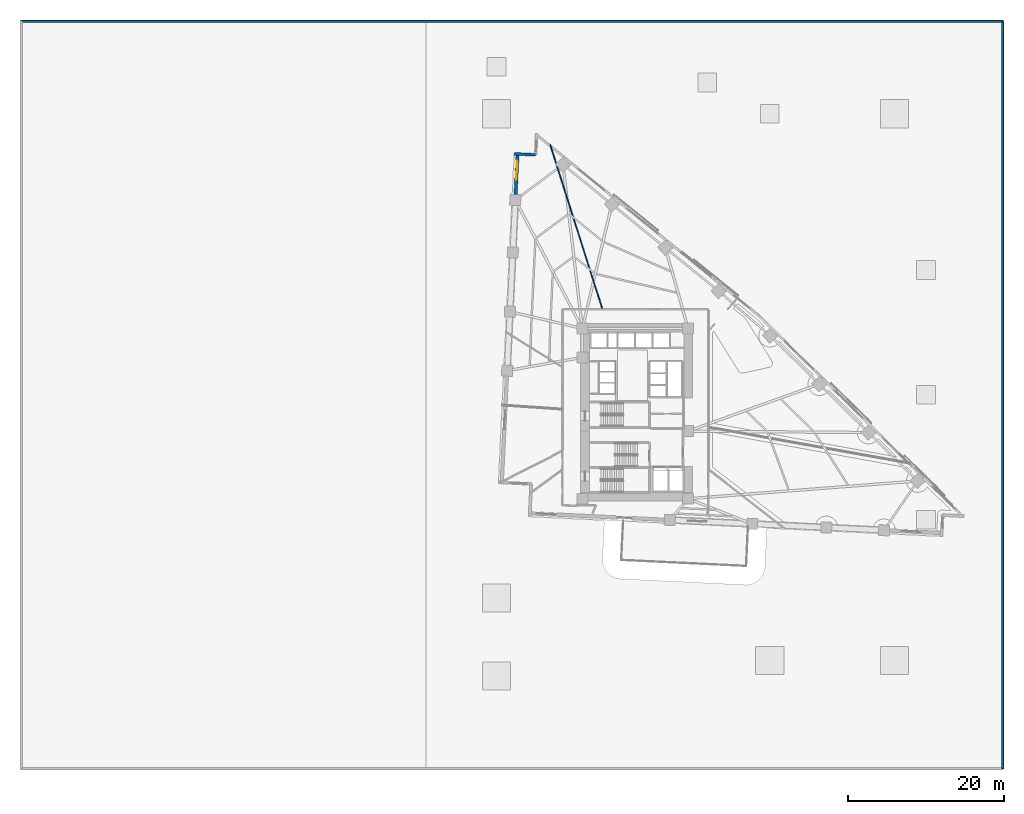
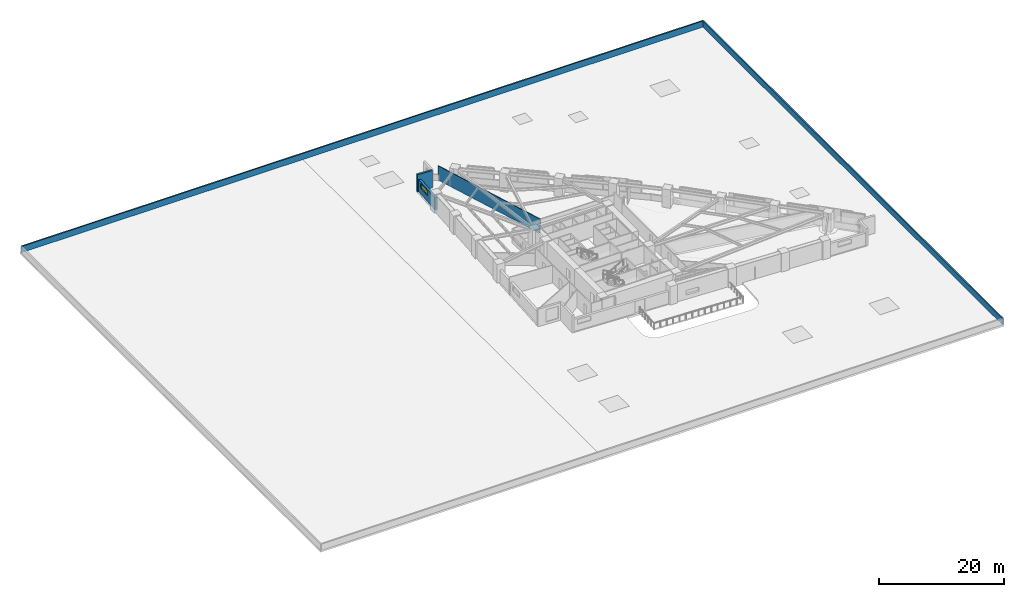
# One storey, part 16 of 19: 5 walls, 1 window, 1 opening.
"""IFC4 building model written with IfcOpenShell, lengths in metres."""

from ifc_helpers import new_model, si_unit, direction, frame, frame_2d, origin, place, context, subcontext, project, spatial, rectangle, extrude, material, layer, layer_set, type_object, element, fill, save


model = new_model("IFC4")

# Units and contexts
model_context = context("Model", 3, precision=1e-05, world=origin(), true_north=direction((0.0, 1.0)))
body_context = subcontext(model_context, "Body", "Model", "MODEL_VIEW")
ifc_project = project(units=[si_unit("LENGTHUNIT", "METRE"), si_unit("AREAUNIT", "SQUARE_METRE"), si_unit("VOLUMEUNIT", "CUBIC_METRE"), si_unit("PLANEANGLEUNIT", "RADIAN"), si_unit("MASSUNIT", "GRAM", prefix="KILO")], contexts=[model_context])

# Site, building, storey
site_placement = place(None, origin())
site = spatial("IfcSite", under=ifc_project, at=site_placement, CompositionType="ELEMENT")
building_placement = place(site_placement, origin())
building = spatial("IfcBuilding", under=site, at=building_placement, Name="Narakoshi Arena Tower", CompositionType="ELEMENT")
storey_placement = place(building_placement, frame((0.0, 0.0, 26.699951171875)))
storey = spatial("IfcBuildingStorey", under=building, at=storey_placement, Name="L06", CompositionType="ELEMENT", Elevation=26.699951171875)

# Walls
ifc_material_1 = material(Name="Precast concrete C45/55", Category="concrete")
ifc_layer_1 = layer(ifc_material_1, 0.25)
ifc_layer_set_1 = layer_set([ifc_layer_1], Name="Precast concrete C45/55")
wall_type_1 = type_object("IfcWallType", Name="WL-PARA-250", PredefinedType="PARAPET", material=ifc_layer_set_1)
wall_1_placement = place(storey_placement, frame((125.85009765625, 0.14990234375, 0.0), z_axis=(0.0, 0.0, 1.0), x_axis=(0.0, 1.0, 0.0)))
element("IfcWall", 1, at=wall_1_placement, inside=storey, type_object=wall_type_1, Name="L06 Podium Roof Upstand Parapet E", PredefinedType="PARAPET", context=body_context, shape_type="SweptSolid", body=[
    extrude(rectangle(XDim=95.7001953125, YDim=0.25, at=frame_2d((47.85009765625, 0.0))), origin(), (0.0, 0.0, 1.0), 1.199951171875),
])
wall_2_placement = place(storey_placement, frame((125.85009765625, 95.85009765625, 0.0), z_axis=(0.0, 0.0, 1.0), x_axis=(-1.0, 0.0, 0.0)))
element("IfcWall", 2, at=wall_2_placement, inside=storey, type_object=wall_type_1, Name="L06 Podium Roof Upstand Parapet N", PredefinedType="PARAPET", context=body_context, shape_type="SweptSolid", body=[
    extrude(rectangle(XDim=125.7001953125, YDim=0.25, at=frame_2d((62.85009765625, 0.0))), origin(), (0.0, 0.0, 1.0), 1.199951171875),
])
ifc_material_2 = material(Name="Gypsum plasterboard fire-rated partition")
ifc_layer_2 = layer(ifc_material_2, 0.125)
ifc_layer_set_2 = layer_set([ifc_layer_2], Name="Gypsum plasterboard fire-rated partition")
wall_type_2 = type_object("IfcWallType", Name="WL-PART-125", PredefinedType="PARTITIONING", material=ifc_layer_set_2)
wall_3_placement = place(storey_placement, frame((74.554931640625, 59.04443359375, 0.0), z_axis=(0.0, 0.0, 1.0), x_axis=(-0.302696882348, 0.95308687821, 0.0)))
element("IfcWall", 3, at=wall_3_placement, inside=storey, type_object=wall_type_2, Name="L06 Inter-Room Partition 06-07", PredefinedType="PARTITIONING", context=body_context, shape_type="SweptSolid", body=[
    extrude(rectangle(XDim=22.0341796875, YDim=0.125, at=frame_2d((11.01708984375, 0.0))), origin(), (0.0, 0.0, 1.0), 2.78515625),
])

# Wall, opening, window
ifc_layer_3 = layer(ifc_material_1, 0.419921875)
ifc_layer_set_3 = layer_set([ifc_layer_3], Name="Precast concrete C45/55")
wall_type_3 = type_object("IfcWallType", Name="WL-POD-420", PredefinedType="SOLIDWALL", material=ifc_layer_set_3)
wall_4_placement = place(storey_placement, frame((63.711181640625, 78.84375, 0.0), z_axis=(0.0, 0.0, 1.0), x_axis=(-0.048007946398, -0.998846953784, 0.0)))
wall_4 = element("IfcWall", 4, at=wall_4_placement, inside=storey, type_object=wall_type_3, Name="L06 Architectural Concrete Facade Wall LEGB-1", PredefinedType="SOLIDWALL", context=body_context, shape_type="SweptSolid", body=[
    extrude(rectangle(XDim=5.89404296875, YDim=0.419921875, at=frame_2d((2.947021484375, 0.0))), origin(), (0.0, 0.0, 1.0), 2.385009765625),
])
opening_placement = place(wall_4_placement, frame((0.89990234375, 0.0, 1.199951171875)))
opening = element("IfcOpeningElement", 5, at=opening_placement, cuts=wall_4, Name="Opening WN-01", PredefinedType="OPENING", context=body_context, shape_type="SweptSolid", body=[
    extrude(rectangle(XDim=2.39990234375, YDim=0.89990234375, at=frame_2d((1.199951171875, 0.449951171875))), frame((0.0, 0.219970703125, 0.0), z_axis=(0.0, -1.0, 0.0), x_axis=(1.0, 0.0, 0.0)), (0.0, 0.0, 1.0), 0.43994140625),
])
ifc_material_3 = material(Name="Bronze-tinted low-E laminated glass", Category="glass")
window_type = type_object("IfcWindowType", Name="WIN-SLT-24x09", PartitioningType="SINGLE_PANEL", PredefinedType="WINDOW", material=ifc_material_3)
window_placement = place(opening_placement, origin())
window = element("IfcWindow", 6, at=window_placement, inside=storey, type_object=window_type, Name="L06 LEGB1 Horizontal Slot Window 1", OverallHeight=0.89990234375, OverallWidth=2.39990234375, PartitioningType="SINGLE_PANEL", PredefinedType="WINDOW", context=body_context, shape_type="SweptSolid", body=[
    extrude(rectangle(XDim=2.39990234375, YDim=0.89990234375, at=frame_2d((1.199951171875, 0.449951171875))), frame((0.0, 0.030029296875, 0.0), z_axis=(0.0, -1.0, 0.0), x_axis=(1.0, 0.0, 0.0)), (0.0, 0.0, 1.0), 0.06005859375),
])
fill(opening, window)

# Wall
wall_5_placement = place(storey_placement, frame((66.013427734375, 78.733154296875, 0.0), z_axis=(0.0, 0.0, 1.0), x_axis=(-0.998846180588, 0.048024030708, 0.0)))
element("IfcWall", 7, at=wall_5_placement, inside=storey, type_object=wall_type_3, Name="L06 Re-Entrant Corner Notch Wall NTN-2", PredefinedType="SOLIDWALL", context=body_context, shape_type="SweptSolid", body=[
    extrude(rectangle(XDim=2.72998046875, YDim=0.360107421875, at=frame_2d((1.364990234375, 0.0))), origin(), (0.0, 0.0, 1.0), 3.400146484375),
])

save(model, "model.ifc")
